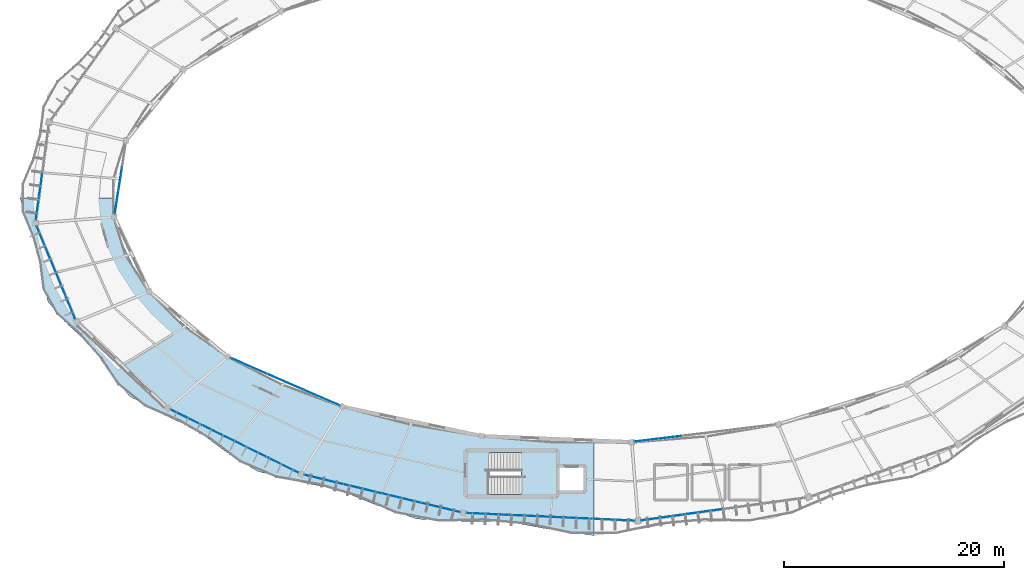
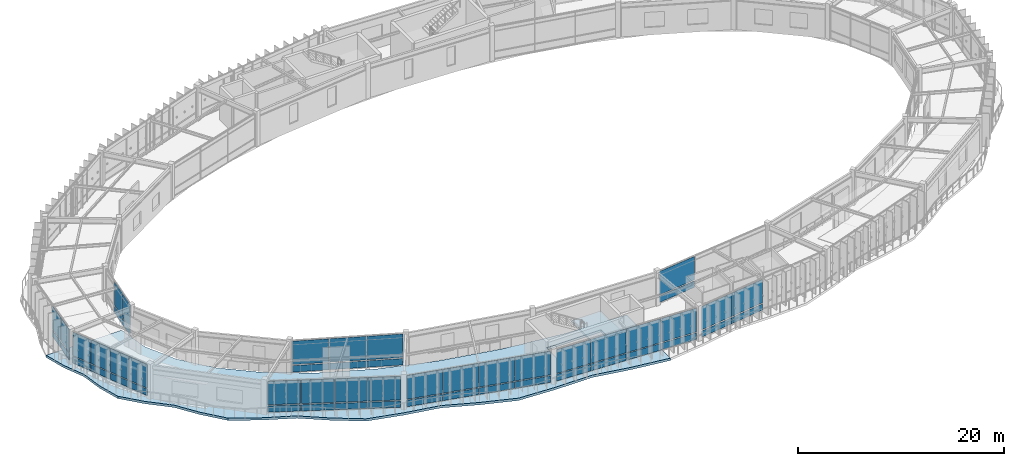
# One storey, part 63 of 79: 52 plates, 2 slabs, 10 elements without a shape of their own.
"""IFC4 building model written with IfcOpenShell, lengths in metres."""

from ifc_helpers import new_model, si_unit, direction, frame, origin, origin_2d, place, context, subcontext, project, spatial, polyline, rectangle, outline, extrude, material, layer, layer_set, type_object, element, aggregate, save


model = new_model("IFC4")

# Units and contexts
model_context = context("Model", 3, precision=1e-05, world=origin(), true_north=direction((0.0, 1.0)))
body_context = subcontext(model_context, "Body", "Model", "MODEL_VIEW")
ifc_project = project(units=[si_unit("LENGTHUNIT", "METRE"), si_unit("AREAUNIT", "SQUARE_METRE"), si_unit("VOLUMEUNIT", "CUBIC_METRE"), si_unit("PLANEANGLEUNIT", "RADIAN"), si_unit("MASSUNIT", "GRAM", prefix="KILO"), si_unit("THERMODYNAMICTEMPERATUREUNIT", "KELVIN"), si_unit("POWERUNIT", "WATT")], contexts=[model_context])

# Site, building, storey
site_placement = place(None, origin())
site = spatial("IfcSite", under=ifc_project, at=site_placement, CompositionType="ELEMENT")
building_placement = place(site_placement, origin())
building = spatial("IfcBuilding", under=site, at=building_placement, Name="Darbajah Civic Hall", CompositionType="ELEMENT")
storey_placement = place(building_placement, frame((0.0, 0.0, 22.199951171875)))
storey = spatial("IfcBuildingStorey", under=building, at=storey_placement, Name="L05", CompositionType="ELEMENT", Elevation=22.199951171875)

# Curtain wall, plates
ifc_material_1 = material(Name="Anodised Bronze Aluminium and Low-E Glazing", Category="aluminium")
curtain_wall_type_1 = type_object("IfcCurtainWallType", Name="Unitised Curtain Wall CW-84 15400x3900", PredefinedType="USERDEFINED", material=ifc_material_1)
curtain_wall_1_placement = place(storey_placement, origin())
curtain_wall_1 = element("IfcCurtainWall", 1, at=curtain_wall_1_placement, inside=storey, type_object=curtain_wall_type_1, Name="L05 unitised curtain wall CW-V1O-L05-14", ObjectType="UNITISED CURTAIN WALL", PredefinedType="USERDEFINED")
ifc_material_2 = material(Name="Low-E Solar Control Double Glazing", Category="glass")
ifc_layer_1 = layer(ifc_material_2, 0.02392578125, Name="Low-E Solar Control Double Glazing")
ifc_layer_set_1 = layer_set([ifc_layer_1], Name="Low-E Solar Control Double Glazing")
plate_type_1 = type_object("IfcPlateType", Name="Solar Double Glazing 24mm", PredefinedType="CURTAIN_PANEL", material=ifc_layer_set_1)
plate_1_placement = place(storey_placement, frame((79.390380859375, 61.01513671875, 0.10009765625), z_axis=(0.0, 0.0, 1.0), x_axis=(0.998962637241, -0.045537340693, 0.0)))
plate_1 = element("IfcPlate", 2, at=plate_1_placement, type_object=plate_type_1, Name="CW-V1O-L05-14 glazed panel 1.1", PredefinedType="CURTAIN_PANEL", context=body_context, shape_type="SweptSolid", body=[
    extrude(rectangle(XDim=3.77734375, YDim=0.02392578125, at=origin_2d()), origin(), (0.0, 0.0, 1.0), 0.800048828125),
])
plate_2_placement = place(storey_placement, frame((79.390380859375, 61.01513671875, 1.0), z_axis=(0.0, 0.0, 1.0), x_axis=(0.998962637241, -0.045537340693, 0.0)))
plate_2 = element("IfcPlate", 3, at=plate_2_placement, type_object=plate_type_1, Name="CW-V1O-L05-14 glazed panel 1.2", PredefinedType="CURTAIN_PANEL", context=body_context, shape_type="SweptSolid", body=[
    extrude(rectangle(XDim=3.77734375, YDim=0.02392578125, at=origin_2d()), origin(), (0.0, 0.0, 1.0), 2.820068359375),
])
plate_3_placement = place(storey_placement, frame((83.228515625, 60.84033203125, 0.10009765625), z_axis=(0.0, 0.0, 1.0), x_axis=(0.998962637241, -0.045537340693, 0.0)))
plate_3 = element("IfcPlate", 4, at=plate_3_placement, type_object=plate_type_1, Name="CW-V1O-L05-14 glazed panel 2.1", PredefinedType="CURTAIN_PANEL", context=body_context, shape_type="SweptSolid", body=[
    extrude(rectangle(XDim=3.77734375, YDim=0.02392578125, at=origin_2d()), origin(), (0.0, 0.0, 1.0), 0.800048828125),
])
plate_4_placement = place(storey_placement, frame((83.228515625, 60.84033203125, 1.0), z_axis=(0.0, 0.0, 1.0), x_axis=(0.998962637241, -0.045537340693, 0.0)))
plate_4 = element("IfcPlate", 5, at=plate_4_placement, type_object=plate_type_1, Name="CW-V1O-L05-14 glazed panel 2.2", PredefinedType="CURTAIN_PANEL", context=body_context, shape_type="SweptSolid", body=[
    extrude(rectangle(XDim=3.77734375, YDim=0.02392578125, at=origin_2d()), origin(), (0.0, 0.0, 1.0), 2.820068359375),
])
plate_5_placement = place(storey_placement, frame((87.06689453125, 60.66552734375, 0.10009765625), z_axis=(0.0, 0.0, 1.0), x_axis=(0.998962637241, -0.045537340693, 0.0)))
plate_5 = element("IfcPlate", 6, at=plate_5_placement, type_object=plate_type_1, Name="CW-V1O-L05-14 glazed panel 3.1", PredefinedType="CURTAIN_PANEL", context=body_context, shape_type="SweptSolid", body=[
    extrude(rectangle(XDim=3.77734375, YDim=0.02392578125, at=origin_2d()), origin(), (0.0, 0.0, 1.0), 0.800048828125),
])
plate_6_placement = place(storey_placement, frame((87.06689453125, 60.66552734375, 1.0), z_axis=(0.0, 0.0, 1.0), x_axis=(0.998962637241, -0.045537340693, 0.0)))
plate_6 = element("IfcPlate", 7, at=plate_6_placement, type_object=plate_type_1, Name="CW-V1O-L05-14 glazed panel 3.2", PredefinedType="CURTAIN_PANEL", context=body_context, shape_type="SweptSolid", body=[
    extrude(rectangle(XDim=3.77734375, YDim=0.02392578125, at=origin_2d()), origin(), (0.0, 0.0, 1.0), 2.820068359375),
])
plate_7_placement = place(storey_placement, frame((90.905517578125, 60.490966796875, 0.10009765625), z_axis=(0.0, 0.0, 1.0), x_axis=(0.998962637241, -0.045537340693, 0.0)))
plate_7 = element("IfcPlate", 8, at=plate_7_placement, type_object=plate_type_1, Name="CW-V1O-L05-14 glazed panel 4.1", PredefinedType="CURTAIN_PANEL", context=body_context, shape_type="SweptSolid", body=[
    extrude(rectangle(XDim=3.77734375, YDim=0.02392578125, at=origin_2d()), origin(), (0.0, 0.0, 1.0), 0.800048828125),
])
plate_8_placement = place(storey_placement, frame((90.905517578125, 60.490966796875, 1.0), z_axis=(0.0, 0.0, 1.0), x_axis=(0.998962637241, -0.045537340693, 0.0)))
plate_8 = element("IfcPlate", 9, at=plate_8_placement, type_object=plate_type_1, Name="CW-V1O-L05-14 glazed panel 4.2", PredefinedType="CURTAIN_PANEL", context=body_context, shape_type="SweptSolid", body=[
    extrude(rectangle(XDim=3.77734375, YDim=0.02392578125, at=origin_2d()), origin(), (0.0, 0.0, 1.0), 2.820068359375),
])
aggregate(curtain_wall_1, [plate_1, plate_2, plate_3, plate_4, plate_5, plate_6, plate_7, plate_8])

curtain_wall_type_2 = type_object("IfcCurtainWallType", Name="Unitised Curtain Wall CW-70 6500x3900", PredefinedType="USERDEFINED", material=ifc_material_1)
curtain_wall_2_placement = place(storey_placement, origin())
curtain_wall_2 = element("IfcCurtainWall", 10, at=curtain_wall_2_placement, inside=storey, type_object=curtain_wall_type_2, Name="L05 unitised curtain wall CW-V1I-L05-09", ObjectType="UNITISED CURTAIN WALL", PredefinedType="USERDEFINED")
ifc_layer_2 = layer(ifc_material_2, 0.028076171875, Name="Low-E Solar Control Double Glazing")
ifc_layer_set_2 = layer_set([ifc_layer_2], Name="Low-E Solar Control Double Glazing")
plate_type_2 = type_object("IfcPlateType", Name="Solar Double Glazing 28mm", PredefinedType="CURTAIN_PANEL", material=ifc_layer_set_2)
plate_9_placement = place(storey_placement, frame((45.97265625, 91.528076171875, 0.1201171875), z_axis=(0.0, 0.0, 1.0), x_axis=(-0.152813355565, -0.98825506746, 0.0)))
plate_9 = element("IfcPlate", 11, at=plate_9_placement, type_object=plate_type_2, Name="CW-V1I-L05-09 glazed panel 2.1", PredefinedType="CURTAIN_PANEL", context=body_context, shape_type="SweptSolid", body=[
    extrude(rectangle(XDim=2.10791015625, YDim=0.028076171875, at=origin_2d()), origin(), (0.0, 0.0, 1.0), 0.77001953125),
])
plate_10_placement = place(storey_placement, frame((45.97265625, 91.528076171875, 1.010009765625), z_axis=(0.0, 0.0, 1.0), x_axis=(-0.152813355565, -0.98825506746, 0.0)))
plate_10 = element("IfcPlate", 12, at=plate_10_placement, type_object=plate_type_2, Name="CW-V1I-L05-09 glazed panel 2.2", PredefinedType="CURTAIN_PANEL", context=body_context, shape_type="SweptSolid", body=[
    extrude(rectangle(XDim=2.10791015625, YDim=0.028076171875, at=origin_2d()), origin(), (0.0, 0.0, 1.0), 2.7900390625),
])
plate_11_placement = place(storey_placement, frame((45.639892578125, 89.375732421875, 0.1201171875), z_axis=(0.0, 0.0, 1.0), x_axis=(-0.152813355565, -0.98825506746, 0.0)))
plate_11 = element("IfcPlate", 13, at=plate_11_placement, type_object=plate_type_2, Name="CW-V1I-L05-09 glazed panel 3.1", PredefinedType="CURTAIN_PANEL", context=body_context, shape_type="SweptSolid", body=[
    extrude(rectangle(XDim=2.10791015625, YDim=0.028076171875, at=origin_2d()), origin(), (0.0, 0.0, 1.0), 0.77001953125),
])
plate_12_placement = place(storey_placement, frame((45.639892578125, 89.375732421875, 1.010009765625), z_axis=(0.0, 0.0, 1.0), x_axis=(-0.152813355565, -0.98825506746, 0.0)))
plate_12 = element("IfcPlate", 14, at=plate_12_placement, type_object=plate_type_2, Name="CW-V1I-L05-09 glazed panel 3.2", PredefinedType="CURTAIN_PANEL", context=body_context, shape_type="SweptSolid", body=[
    extrude(rectangle(XDim=2.10791015625, YDim=0.028076171875, at=origin_2d()), origin(), (0.0, 0.0, 1.0), 2.7900390625),
])
aggregate(curtain_wall_2, [plate_9, plate_10, plate_11, plate_12])

curtain_wall_type_3 = type_object("IfcCurtainWallType", Name="Unitised Curtain Wall CW-82 9200x3900", PredefinedType="USERDEFINED", material=ifc_material_1)
curtain_wall_3_placement = place(storey_placement, origin())
curtain_wall_3 = element("IfcCurtainWall", 15, at=curtain_wall_3_placement, inside=storey, type_object=curtain_wall_type_3, Name="L05 unitised curtain wall CW-V1O-L05-10", ObjectType="UNITISED CURTAIN WALL", PredefinedType="USERDEFINED")
plate_13_placement = place(storey_placement, frame((38.802490234375, 86.171875, 0.1201171875), z_axis=(0.0, 0.0, 1.0), x_axis=(0.383328328644, -0.923612143954, 0.0)))
plate_13 = element("IfcPlate", 16, at=plate_13_placement, type_object=plate_type_2, Name="CW-V1O-L05-10 glazed panel 1.1", PredefinedType="CURTAIN_PANEL", context=body_context, shape_type="SweptSolid", body=[
    extrude(rectangle(XDim=2.220703125, YDim=0.028076171875, at=origin_2d()), origin(), (0.0, 0.0, 1.0), 0.77001953125),
])
plate_14_placement = place(storey_placement, frame((38.802490234375, 86.171875, 1.010009765625), z_axis=(0.0, 0.0, 1.0), x_axis=(0.383328328644, -0.923612143954, 0.0)))
plate_14 = element("IfcPlate", 17, at=plate_14_placement, type_object=plate_type_2, Name="CW-V1O-L05-10 glazed panel 1.2", PredefinedType="CURTAIN_PANEL", context=body_context, shape_type="SweptSolid", body=[
    extrude(rectangle(XDim=2.220703125, YDim=0.028076171875, at=origin_2d()), origin(), (0.0, 0.0, 1.0), 2.7900390625),
])
plate_15_placement = place(storey_placement, frame((39.680419921875, 84.055908203125, 0.1201171875), z_axis=(0.0, 0.0, 1.0), x_axis=(0.383328328644, -0.923612143954, 0.0)))
plate_15 = element("IfcPlate", 18, at=plate_15_placement, type_object=plate_type_2, Name="CW-V1O-L05-10 glazed panel 2.1", PredefinedType="CURTAIN_PANEL", context=body_context, shape_type="SweptSolid", body=[
    extrude(rectangle(XDim=2.220703125, YDim=0.028076171875, at=origin_2d()), origin(), (0.0, 0.0, 1.0), 0.77001953125),
])
plate_16_placement = place(storey_placement, frame((39.680419921875, 84.055908203125, 1.010009765625), z_axis=(0.0, 0.0, 1.0), x_axis=(0.383328328644, -0.923612143954, 0.0)))
plate_16 = element("IfcPlate", 19, at=plate_16_placement, type_object=plate_type_2, Name="CW-V1O-L05-10 glazed panel 2.2", PredefinedType="CURTAIN_PANEL", context=body_context, shape_type="SweptSolid", body=[
    extrude(rectangle(XDim=2.220703125, YDim=0.028076171875, at=origin_2d()), origin(), (0.0, 0.0, 1.0), 2.7900390625),
])
plate_17_placement = place(storey_placement, frame((40.558837890625, 81.940185546875, 0.1201171875), z_axis=(0.0, 0.0, 1.0), x_axis=(0.383328328644, -0.923612143954, 0.0)))
plate_17 = element("IfcPlate", 20, at=plate_17_placement, type_object=plate_type_2, Name="CW-V1O-L05-10 glazed panel 3.1", PredefinedType="CURTAIN_PANEL", context=body_context, shape_type="SweptSolid", body=[
    extrude(rectangle(XDim=2.220703125, YDim=0.028076171875, at=origin_2d()), origin(), (0.0, 0.0, 1.0), 0.77001953125),
])
plate_18_placement = place(storey_placement, frame((40.558837890625, 81.940185546875, 1.010009765625), z_axis=(0.0, 0.0, 1.0), x_axis=(0.383328328644, -0.923612143954, 0.0)))
plate_18 = element("IfcPlate", 21, at=plate_18_placement, type_object=plate_type_2, Name="CW-V1O-L05-10 glazed panel 3.2", PredefinedType="CURTAIN_PANEL", context=body_context, shape_type="SweptSolid", body=[
    extrude(rectangle(XDim=2.220703125, YDim=0.028076171875, at=origin_2d()), origin(), (0.0, 0.0, 1.0), 2.7900390625),
])
plate_19_placement = place(storey_placement, frame((41.436767578125, 79.824462890625, 0.1201171875), z_axis=(0.0, 0.0, 1.0), x_axis=(0.383328328644, -0.923612143954, 0.0)))
plate_19 = element("IfcPlate", 22, at=plate_19_placement, type_object=plate_type_2, Name="CW-V1O-L05-10 glazed panel 4.1", PredefinedType="CURTAIN_PANEL", context=body_context, shape_type="SweptSolid", body=[
    extrude(rectangle(XDim=2.220703125, YDim=0.028076171875, at=origin_2d()), origin(), (0.0, 0.0, 1.0), 0.77001953125),
])
plate_20_placement = place(storey_placement, frame((41.436767578125, 79.824462890625, 1.010009765625), z_axis=(0.0, 0.0, 1.0), x_axis=(0.383328328644, -0.923612143954, 0.0)))
plate_20 = element("IfcPlate", 23, at=plate_20_placement, type_object=plate_type_2, Name="CW-V1O-L05-10 glazed panel 4.2", PredefinedType="CURTAIN_PANEL", context=body_context, shape_type="SweptSolid", body=[
    extrude(rectangle(XDim=2.220703125, YDim=0.028076171875, at=origin_2d()), origin(), (0.0, 0.0, 1.0), 2.7900390625),
])
aggregate(curtain_wall_3, [plate_13, plate_14, plate_15, plate_16, plate_17, plate_18, plate_19, plate_20])

curtain_wall_type_4 = type_object("IfcCurtainWallType", Name="Unitised Curtain Wall CW-63 10900x3900", PredefinedType="USERDEFINED", material=ifc_material_1)
curtain_wall_4_placement = place(storey_placement, origin())
curtain_wall_4 = element("IfcCurtainWall", 24, at=curtain_wall_4_placement, inside=storey, type_object=curtain_wall_type_4, Name="L05 unitised curtain wall CW-V1I-L05-12", ObjectType="UNITISED CURTAIN WALL", PredefinedType="USERDEFINED")
plate_21_placement = place(storey_placement, frame((57.68505859375, 74.4951171875, 0.1201171875), z_axis=(0.0, 0.0, 1.0), x_axis=(0.917060074385, -0.398749068925, 0.0)))
plate_21 = element("IfcPlate", 25, at=plate_21_placement, type_object=plate_type_2, Name="CW-V1I-L05-12 glazed panel 1.1", PredefinedType="CURTAIN_PANEL", context=body_context, shape_type="SweptSolid", body=[
    extrude(rectangle(XDim=3.549560546875, YDim=0.028076171875, at=origin_2d()), origin(), (0.0, 0.0, 1.0), 0.77001953125),
])
plate_22_placement = place(storey_placement, frame((57.68505859375, 74.4951171875, 1.010009765625), z_axis=(0.0, 0.0, 1.0), x_axis=(0.917060074385, -0.398749068925, 0.0)))
plate_22 = element("IfcPlate", 26, at=plate_22_placement, type_object=plate_type_2, Name="CW-V1I-L05-12 glazed panel 1.2", PredefinedType="CURTAIN_PANEL", context=body_context, shape_type="SweptSolid", body=[
    extrude(rectangle(XDim=3.549560546875, YDim=0.028076171875, at=origin_2d()), origin(), (0.0, 0.0, 1.0), 2.7900390625),
])
plate_23_placement = place(storey_placement, frame((61.00439453125, 73.0517578125, 0.1201171875), z_axis=(0.0, 0.0, 1.0), x_axis=(0.917060074385, -0.398749068925, 0.0)))
plate_23 = element("IfcPlate", 27, at=plate_23_placement, type_object=plate_type_2, Name="CW-V1I-L05-12 glazed panel 2.1", PredefinedType="CURTAIN_PANEL", context=body_context, shape_type="SweptSolid", body=[
    extrude(rectangle(XDim=3.549560546875, YDim=0.028076171875, at=origin_2d()), origin(), (0.0, 0.0, 1.0), 0.77001953125),
])
plate_24_placement = place(storey_placement, frame((61.00439453125, 73.0517578125, 1.010009765625), z_axis=(0.0, 0.0, 1.0), x_axis=(0.917060074385, -0.398749068925, 0.0)))
plate_24 = element("IfcPlate", 28, at=plate_24_placement, type_object=plate_type_2, Name="CW-V1I-L05-12 glazed panel 2.2", PredefinedType="CURTAIN_PANEL", context=body_context, shape_type="SweptSolid", body=[
    extrude(rectangle(XDim=3.549560546875, YDim=0.028076171875, at=origin_2d()), origin(), (0.0, 0.0, 1.0), 2.7900390625),
])
plate_25_placement = place(storey_placement, frame((64.32373046875, 71.6083984375, 0.1201171875), z_axis=(0.0, 0.0, 1.0), x_axis=(0.917060074385, -0.398749068925, 0.0)))
plate_25 = element("IfcPlate", 29, at=plate_25_placement, type_object=plate_type_2, Name="CW-V1I-L05-12 glazed panel 3.1", PredefinedType="CURTAIN_PANEL", context=body_context, shape_type="SweptSolid", body=[
    extrude(rectangle(XDim=3.549560546875, YDim=0.028076171875, at=origin_2d()), origin(), (0.0, 0.0, 1.0), 0.77001953125),
])
plate_26_placement = place(storey_placement, frame((64.32373046875, 71.6083984375, 1.010009765625), z_axis=(0.0, 0.0, 1.0), x_axis=(0.917060074385, -0.398749068925, 0.0)))
plate_26 = element("IfcPlate", 30, at=plate_26_placement, type_object=plate_type_2, Name="CW-V1I-L05-12 glazed panel 3.2", PredefinedType="CURTAIN_PANEL", context=body_context, shape_type="SweptSolid", body=[
    extrude(rectangle(XDim=3.549560546875, YDim=0.028076171875, at=origin_2d()), origin(), (0.0, 0.0, 1.0), 2.7900390625),
])
aggregate(curtain_wall_4, [plate_21, plate_22, plate_23, plate_24, plate_25, plate_26])

curtain_wall_type_5 = type_object("IfcCurtainWallType", Name="Unitised Curtain Wall CW-71 14600x3900", PredefinedType="USERDEFINED", material=ifc_material_1)
curtain_wall_5_placement = place(storey_placement, origin())
curtain_wall_5 = element("IfcCurtainWall", 31, at=curtain_wall_5_placement, inside=storey, type_object=curtain_wall_type_5, Name="L05 unitised curtain wall CW-V1O-L05-13", ObjectType="UNITISED CURTAIN WALL", PredefinedType="USERDEFINED")
plate_27_placement = place(storey_placement, frame((64.497314453125, 64.1572265625, 0.1201171875), z_axis=(0.0, 0.0, 1.0), x_axis=(0.972492018808, -0.232936200179, 0.0)))
plate_27 = element("IfcPlate", 32, at=plate_27_placement, type_object=plate_type_2, Name="CW-V1O-L05-13 glazed panel 1.1", PredefinedType="CURTAIN_PANEL", context=body_context, shape_type="SweptSolid", body=[
    extrude(rectangle(XDim=3.581298828125, YDim=0.028076171875, at=origin_2d()), origin(), (0.0, 0.0, 1.0), 0.77001953125),
])
plate_28_placement = place(storey_placement, frame((64.497314453125, 64.1572265625, 1.010009765625), z_axis=(0.0, 0.0, 1.0), x_axis=(0.972492018808, -0.232936200179, 0.0)))
plate_28 = element("IfcPlate", 33, at=plate_28_placement, type_object=plate_type_2, Name="CW-V1O-L05-13 glazed panel 1.2", PredefinedType="CURTAIN_PANEL", context=body_context, shape_type="SweptSolid", body=[
    extrude(rectangle(XDim=3.581298828125, YDim=0.028076171875, at=origin_2d()), origin(), (0.0, 0.0, 1.0), 2.7900390625),
])
plate_29_placement = place(storey_placement, frame((68.048095703125, 63.306396484375, 0.1201171875), z_axis=(0.0, 0.0, 1.0), x_axis=(0.972492018808, -0.232936200179, 0.0)))
plate_29 = element("IfcPlate", 34, at=plate_29_placement, type_object=plate_type_2, Name="CW-V1O-L05-13 glazed panel 2.1", PredefinedType="CURTAIN_PANEL", context=body_context, shape_type="SweptSolid", body=[
    extrude(rectangle(XDim=3.581298828125, YDim=0.028076171875, at=origin_2d()), origin(), (0.0, 0.0, 1.0), 0.77001953125),
])
plate_30_placement = place(storey_placement, frame((68.048095703125, 63.306396484375, 1.010009765625), z_axis=(0.0, 0.0, 1.0), x_axis=(0.972492018808, -0.232936200179, 0.0)))
plate_30 = element("IfcPlate", 35, at=plate_30_placement, type_object=plate_type_2, Name="CW-V1O-L05-13 glazed panel 2.2", PredefinedType="CURTAIN_PANEL", context=body_context, shape_type="SweptSolid", body=[
    extrude(rectangle(XDim=3.581298828125, YDim=0.028076171875, at=origin_2d()), origin(), (0.0, 0.0, 1.0), 2.7900390625),
])
plate_31_placement = place(storey_placement, frame((71.598876953125, 62.455810546875, 0.1201171875), z_axis=(0.0, 0.0, 1.0), x_axis=(0.972492018808, -0.232936200179, 0.0)))
plate_31 = element("IfcPlate", 36, at=plate_31_placement, type_object=plate_type_2, Name="CW-V1O-L05-13 glazed panel 3.1", PredefinedType="CURTAIN_PANEL", context=body_context, shape_type="SweptSolid", body=[
    extrude(rectangle(XDim=3.581298828125, YDim=0.028076171875, at=origin_2d()), origin(), (0.0, 0.0, 1.0), 0.77001953125),
])
plate_32_placement = place(storey_placement, frame((71.598876953125, 62.455810546875, 1.010009765625), z_axis=(0.0, 0.0, 1.0), x_axis=(0.972492018808, -0.232936200179, 0.0)))
plate_32 = element("IfcPlate", 37, at=plate_32_placement, type_object=plate_type_2, Name="CW-V1O-L05-13 glazed panel 3.2", PredefinedType="CURTAIN_PANEL", context=body_context, shape_type="SweptSolid", body=[
    extrude(rectangle(XDim=3.581298828125, YDim=0.028076171875, at=origin_2d()), origin(), (0.0, 0.0, 1.0), 2.7900390625),
])
plate_33_placement = place(storey_placement, frame((75.149658203125, 61.60498046875, 0.1201171875), z_axis=(0.0, 0.0, 1.0), x_axis=(0.972492018808, -0.232936200179, 0.0)))
plate_33 = element("IfcPlate", 38, at=plate_33_placement, type_object=plate_type_2, Name="CW-V1O-L05-13 glazed panel 4.1", PredefinedType="CURTAIN_PANEL", context=body_context, shape_type="SweptSolid", body=[
    extrude(rectangle(XDim=3.581298828125, YDim=0.028076171875, at=origin_2d()), origin(), (0.0, 0.0, 1.0), 0.77001953125),
])
plate_34_placement = place(storey_placement, frame((75.149658203125, 61.60498046875, 1.010009765625), z_axis=(0.0, 0.0, 1.0), x_axis=(0.972492018808, -0.232936200179, 0.0)))
plate_34 = element("IfcPlate", 39, at=plate_34_placement, type_object=plate_type_2, Name="CW-V1O-L05-13 glazed panel 4.2", PredefinedType="CURTAIN_PANEL", context=body_context, shape_type="SweptSolid", body=[
    extrude(rectangle(XDim=3.581298828125, YDim=0.028076171875, at=origin_2d()), origin(), (0.0, 0.0, 1.0), 2.7900390625),
])
aggregate(curtain_wall_5, [plate_27, plate_28, plate_29, plate_30, plate_31, plate_32, plate_33, plate_34])

curtain_wall_type_6 = type_object("IfcCurtainWallType", Name="Unitised Curtain Wall CW-73 12900x3900", PredefinedType="USERDEFINED", material=ifc_material_1)
curtain_wall_6_placement = place(storey_placement, origin())
curtain_wall_6 = element("IfcCurtainWall", 40, at=curtain_wall_6_placement, inside=storey, type_object=curtain_wall_type_6, Name="L05 unitised curtain wall CW-V1I-L05-15", ObjectType="UNITISED CURTAIN WALL", PredefinedType="USERDEFINED")
plate_35_placement = place(storey_placement, frame((94.924072265625, 67.860595703125, 0.1201171875), z_axis=(0.0, 0.0, 1.0), x_axis=(0.992609826221, 0.121349630774, 0.0)))
plate_35 = element("IfcPlate", 41, at=plate_35_placement, type_object=plate_type_2, Name="CW-V1I-L05-15 glazed panel 1.1", PredefinedType="CURTAIN_PANEL", context=body_context, shape_type="SweptSolid", body=[
    extrude(rectangle(XDim=4.23681640625, YDim=0.028076171875, at=origin_2d()), origin(), (0.0, 0.0, 1.0), 0.77001953125),
])
plate_36_placement = place(storey_placement, frame((94.924072265625, 67.860595703125, 1.010009765625), z_axis=(0.0, 0.0, 1.0), x_axis=(0.992609826221, 0.121349630774, 0.0)))
plate_36 = element("IfcPlate", 42, at=plate_36_placement, type_object=plate_type_2, Name="CW-V1I-L05-15 glazed panel 1.2", PredefinedType="CURTAIN_PANEL", context=body_context, shape_type="SweptSolid", body=[
    extrude(rectangle(XDim=4.23681640625, YDim=0.028076171875, at=origin_2d()), origin(), (0.0, 0.0, 1.0), 2.7900390625),
])
aggregate(curtain_wall_6, [plate_35, plate_36])

curtain_wall_type_7 = type_object("IfcCurtainWallType", Name="Unitised Curtain Wall CW-69 8700x3900", PredefinedType="USERDEFINED", material=ifc_material_1)
curtain_wall_7_placement = place(storey_placement, origin())
curtain_wall_7 = element("IfcCurtainWall", 43, at=curtain_wall_7_placement, inside=storey, type_object=curtain_wall_type_7, Name="L05 unitised curtain wall CW-V1O-L05-09", ObjectType="UNITISED CURTAIN WALL", PredefinedType="USERDEFINED")
ifc_layer_3 = layer(ifc_material_2, 0.031982421875, Name="Low-E Solar Control Double Glazing")
ifc_layer_set_3 = layer_set([ifc_layer_3], Name="Low-E Solar Control Double Glazing")
plate_type_3 = type_object("IfcPlateType", Name="Solar Double Glazing 32mm", PredefinedType="CURTAIN_PANEL", material=ifc_layer_set_3)
plate_37_placement = place(storey_placement, frame((38.736083984375, 91.00439453125, 0.14013671875), z_axis=(0.0, 0.0, 1.0), x_axis=(-0.134850930274, -0.990865897387, 0.0)))
plate_37 = element("IfcPlate", 44, at=plate_37_placement, type_object=plate_type_3, Name="CW-V1O-L05-09 glazed panel 3.1", PredefinedType="CURTAIN_PANEL", context=body_context, shape_type="SweptSolid", body=[
    extrude(rectangle(XDim=2.10791015625, YDim=0.031982421875, at=origin_2d()), origin(), (0.0, 0.0, 1.0), 0.739990234375),
])
plate_38_placement = place(storey_placement, frame((38.736083984375, 91.00439453125, 1.02001953125), z_axis=(0.0, 0.0, 1.0), x_axis=(-0.134850930274, -0.990865897387, 0.0)))
plate_38 = element("IfcPlate", 45, at=plate_38_placement, type_object=plate_type_3, Name="CW-V1O-L05-09 glazed panel 3.2", PredefinedType="CURTAIN_PANEL", context=body_context, shape_type="SweptSolid", body=[
    extrude(rectangle(XDim=2.10791015625, YDim=0.031982421875, at=origin_2d()), origin(), (0.0, 0.0, 1.0), 2.760009765625),
])
plate_39_placement = place(storey_placement, frame((38.441650390625, 88.841552734375, 0.14013671875), z_axis=(0.0, 0.0, 1.0), x_axis=(-0.134850930274, -0.990865897387, 0.0)))
plate_39 = element("IfcPlate", 46, at=plate_39_placement, type_object=plate_type_3, Name="CW-V1O-L05-09 glazed panel 4.1", PredefinedType="CURTAIN_PANEL", context=body_context, shape_type="SweptSolid", body=[
    extrude(rectangle(XDim=2.10791015625, YDim=0.031982421875, at=origin_2d()), origin(), (0.0, 0.0, 1.0), 0.739990234375),
])
plate_40_placement = place(storey_placement, frame((38.441650390625, 88.841552734375, 1.02001953125), z_axis=(0.0, 0.0, 1.0), x_axis=(-0.134850930274, -0.990865897387, 0.0)))
plate_40 = element("IfcPlate", 47, at=plate_40_placement, type_object=plate_type_3, Name="CW-V1O-L05-09 glazed panel 4.2", PredefinedType="CURTAIN_PANEL", context=body_context, shape_type="SweptSolid", body=[
    extrude(rectangle(XDim=2.10791015625, YDim=0.031982421875, at=origin_2d()), origin(), (0.0, 0.0, 1.0), 2.760009765625),
])
aggregate(curtain_wall_7, [plate_37, plate_38, plate_39, plate_40])

curtain_wall_type_8 = type_object("IfcCurtainWallType", Name="Unitised Curtain Wall CW-83 13000x3900", PredefinedType="USERDEFINED", material=ifc_material_1)
curtain_wall_8_placement = place(storey_placement, origin())
curtain_wall_8 = element("IfcCurtainWall", 48, at=curtain_wall_8_placement, inside=storey, type_object=curtain_wall_type_8, Name="L05 unitised curtain wall CW-V1O-L05-12", ObjectType="UNITISED CURTAIN WALL", PredefinedType="USERDEFINED")
plate_41_placement = place(storey_placement, frame((52.022216796875, 69.800048828125, 0.14013671875), z_axis=(0.0, 0.0, 1.0), x_axis=(0.89656374724, -0.442914717678, 0.0)))
plate_41 = element("IfcPlate", 49, at=plate_41_placement, type_object=plate_type_3, Name="CW-V1O-L05-12 glazed panel 1.1", PredefinedType="CURTAIN_PANEL", context=body_context, shape_type="SweptSolid", body=[
    extrude(rectangle(XDim=3.169921875, YDim=0.031982421875, at=origin_2d()), origin(), (0.0, 0.0, 1.0), 0.739990234375),
])
plate_42_placement = place(storey_placement, frame((52.022216796875, 69.800048828125, 1.02001953125), z_axis=(0.0, 0.0, 1.0), x_axis=(0.89656374724, -0.442914717678, 0.0)))
plate_42 = element("IfcPlate", 50, at=plate_42_placement, type_object=plate_type_3, Name="CW-V1O-L05-12 glazed panel 1.2", PredefinedType="CURTAIN_PANEL", context=body_context, shape_type="SweptSolid", body=[
    extrude(rectangle(XDim=3.169921875, YDim=0.031982421875, at=origin_2d()), origin(), (0.0, 0.0, 1.0), 2.760009765625),
])
plate_43_placement = place(storey_placement, frame((54.931396484375, 68.36279296875, 0.14013671875), z_axis=(0.0, 0.0, 1.0), x_axis=(0.89656374724, -0.442914717678, 0.0)))
plate_43 = element("IfcPlate", 51, at=plate_43_placement, type_object=plate_type_3, Name="CW-V1O-L05-12 glazed panel 2.1", PredefinedType="CURTAIN_PANEL", context=body_context, shape_type="SweptSolid", body=[
    extrude(rectangle(XDim=3.169921875, YDim=0.031982421875, at=origin_2d()), origin(), (0.0, 0.0, 1.0), 0.739990234375),
])
plate_44_placement = place(storey_placement, frame((54.931396484375, 68.36279296875, 1.02001953125), z_axis=(0.0, 0.0, 1.0), x_axis=(0.89656374724, -0.442914717678, 0.0)))
plate_44 = element("IfcPlate", 52, at=plate_44_placement, type_object=plate_type_3, Name="CW-V1O-L05-12 glazed panel 2.2", PredefinedType="CURTAIN_PANEL", context=body_context, shape_type="SweptSolid", body=[
    extrude(rectangle(XDim=3.169921875, YDim=0.031982421875, at=origin_2d()), origin(), (0.0, 0.0, 1.0), 2.760009765625),
])
plate_45_placement = place(storey_placement, frame((57.840576171875, 66.925537109375, 0.14013671875), z_axis=(0.0, 0.0, 1.0), x_axis=(0.89656374724, -0.442914717678, 0.0)))
plate_45 = element("IfcPlate", 53, at=plate_45_placement, type_object=plate_type_3, Name="CW-V1O-L05-12 glazed panel 3.1", PredefinedType="CURTAIN_PANEL", context=body_context, shape_type="SweptSolid", body=[
    extrude(rectangle(XDim=3.169921875, YDim=0.031982421875, at=origin_2d()), origin(), (0.0, 0.0, 1.0), 0.739990234375),
])
plate_46_placement = place(storey_placement, frame((57.840576171875, 66.925537109375, 1.02001953125), z_axis=(0.0, 0.0, 1.0), x_axis=(0.89656374724, -0.442914717678, 0.0)))
plate_46 = element("IfcPlate", 54, at=plate_46_placement, type_object=plate_type_3, Name="CW-V1O-L05-12 glazed panel 3.2", PredefinedType="CURTAIN_PANEL", context=body_context, shape_type="SweptSolid", body=[
    extrude(rectangle(XDim=3.169921875, YDim=0.031982421875, at=origin_2d()), origin(), (0.0, 0.0, 1.0), 2.760009765625),
])
plate_47_placement = place(storey_placement, frame((60.749755859375, 65.48828125, 0.14013671875), z_axis=(0.0, 0.0, 1.0), x_axis=(0.89656374724, -0.442914717678, 0.0)))
plate_47 = element("IfcPlate", 55, at=plate_47_placement, type_object=plate_type_3, Name="CW-V1O-L05-12 glazed panel 4.1", PredefinedType="CURTAIN_PANEL", context=body_context, shape_type="SweptSolid", body=[
    extrude(rectangle(XDim=3.169921875, YDim=0.031982421875, at=origin_2d()), origin(), (0.0, 0.0, 1.0), 0.739990234375),
])
plate_48_placement = place(storey_placement, frame((60.749755859375, 65.48828125, 1.02001953125), z_axis=(0.0, 0.0, 1.0), x_axis=(0.89656374724, -0.442914717678, 0.0)))
plate_48 = element("IfcPlate", 56, at=plate_48_placement, type_object=plate_type_3, Name="CW-V1O-L05-12 glazed panel 4.2", PredefinedType="CURTAIN_PANEL", context=body_context, shape_type="SweptSolid", body=[
    extrude(rectangle(XDim=3.169921875, YDim=0.031982421875, at=origin_2d()), origin(), (0.0, 0.0, 1.0), 2.760009765625),
])
aggregate(curtain_wall_8, [plate_41, plate_42, plate_43, plate_44, plate_45, plate_46, plate_47, plate_48])

curtain_wall_type_9 = type_object("IfcCurtainWallType", Name="Unitised Curtain Wall CW-72 15100x3900", PredefinedType="USERDEFINED", material=ifc_material_1)
curtain_wall_9_placement = place(storey_placement, origin())
curtain_wall_9 = element("IfcCurtainWall", 57, at=curtain_wall_9_placement, inside=storey, type_object=curtain_wall_type_9, Name="L05 unitised curtain wall CW-V1O-L05-15", ObjectType="UNITISED CURTAIN WALL", PredefinedType="USERDEFINED")
plate_49_placement = place(storey_placement, frame((95.24658203125, 60.68896484375, 0.14013671875), z_axis=(0.0, 0.0, 1.0), x_axis=(0.990485459553, 0.137617420457, 0.0)))
plate_49 = element("IfcPlate", 58, at=plate_49_placement, type_object=plate_type_3, Name="CW-V1O-L05-15 glazed panel 1.1", PredefinedType="CURTAIN_PANEL", context=body_context, shape_type="SweptSolid", body=[
    extrude(rectangle(XDim=3.70263671875, YDim=0.031982421875, at=origin_2d()), origin(), (0.0, 0.0, 1.0), 0.739990234375),
])
plate_50_placement = place(storey_placement, frame((95.24658203125, 60.68896484375, 1.02001953125), z_axis=(0.0, 0.0, 1.0), x_axis=(0.990485459553, 0.137617420457, 0.0)))
plate_50 = element("IfcPlate", 59, at=plate_50_placement, type_object=plate_type_3, Name="CW-V1O-L05-15 glazed panel 1.2", PredefinedType="CURTAIN_PANEL", context=body_context, shape_type="SweptSolid", body=[
    extrude(rectangle(XDim=3.70263671875, YDim=0.031982421875, at=origin_2d()), origin(), (0.0, 0.0, 1.0), 2.760009765625),
])
plate_51_placement = place(storey_placement, frame((98.98828125, 61.20849609375, 0.14013671875), z_axis=(0.0, 0.0, 1.0), x_axis=(0.990485459553, 0.137617420457, 0.0)))
plate_51 = element("IfcPlate", 60, at=plate_51_placement, type_object=plate_type_3, Name="CW-V1O-L05-15 glazed panel 2.1", PredefinedType="CURTAIN_PANEL", context=body_context, shape_type="SweptSolid", body=[
    extrude(rectangle(XDim=3.70263671875, YDim=0.031982421875, at=origin_2d()), origin(), (0.0, 0.0, 1.0), 0.739990234375),
])
plate_52_placement = place(storey_placement, frame((98.98828125, 61.20849609375, 1.02001953125), z_axis=(0.0, 0.0, 1.0), x_axis=(0.990485459553, 0.137617420457, 0.0)))
plate_52 = element("IfcPlate", 61, at=plate_52_placement, type_object=plate_type_3, Name="CW-V1O-L05-15 glazed panel 2.2", PredefinedType="CURTAIN_PANEL", context=body_context, shape_type="SweptSolid", body=[
    extrude(rectangle(XDim=3.70263671875, YDim=0.031982421875, at=origin_2d()), origin(), (0.0, 0.0, 1.0), 2.760009765625),
])
aggregate(curtain_wall_9, [plate_49, plate_50, plate_51, plate_52])

# Stair, slab
ifc_material_3 = material(Name="Concrete C45/55", Category="concrete")
stair_type = type_object("IfcStairType", Name="Half Turn Stair 1650x4200", PredefinedType="HALF_TURN_STAIR", material=ifc_material_3)
stair_placement = place(storey_placement, origin())
stair = element("IfcStair", 62, at=stair_placement, inside=storey, type_object=stair_type, Name="L05 enclosed exit stair ST03", PredefinedType="HALF_TURN_STAIR")
ifc_layer_4 = layer(ifc_material_3, 0.199951171875, Name="Concrete C45/55")
ifc_layer_set_4 = layer_set([ifc_layer_4], Name="Concrete C45/55")
slab_type_1 = type_object("IfcSlabType", Name="Stair Landing Slab 200mm", PredefinedType="LANDING", material=ifc_layer_set_4)
slab_1_placement = place(storey_placement, frame((0.0, 0.0, 1.900146484375)))
slab_1 = element("IfcSlab", 63, at=slab_1_placement, type_object=slab_type_1, Name="ST03 L05 half-landing", PredefinedType="LANDING", context=body_context, shape_type="SweptSolid", body=[
    extrude(outline(polyline([(82.43994140625, 62.60009765625), (85.800048828125, 62.60009765625), (85.800048828125, 66.800048828125), (82.43994140625, 66.800048828125), (82.43994140625, 62.60009765625)])), origin(), (0.0, 0.0, 1.0), 0.199951171875),
])
aggregate(stair, [slab_1])

# Slab
ifc_layer_5 = layer(ifc_material_3, 0.280029296875, Name="Concrete C45/55")
ifc_layer_set_5 = layer_set([ifc_layer_5], Name="Concrete C45/55")
slab_type_2 = type_object("IfcSlabType", Name="Structural Floor Slab 280mm", PredefinedType="FLOOR", material=ifc_layer_set_5)
slab_2_placement = place(storey_placement, frame((0.0, 0.0, -0.280029296875)))
element("IfcSlab", 64, at=slab_2_placement, inside=storey, type_object=slab_type_2, Name="L05 Oval Administration Ring SW floor slab", PredefinedType="FLOOR", context=body_context, shape_type="SweptSolid", body=[
    extrude(outline(polyline([(36.85205078125, 89.800048828125), (37.4794921875, 87.42431640625), (38.419677734375, 85.136474609375), (38.750732421875, 82.731201171875), (39.4091796875, 80.29833984375), (41.261474609375, 78.21240234375), (43.380615234375, 76.265625), (44.9501953125, 73.978759765625), (46.83056640625, 71.726806640625), (49.726318359375, 70.134765625), (52.81689453125, 68.7197265625), (55.4716796875, 66.77490234375), (58.389404296875, 64.92431640625), (62.044921875, 63.982177734375), (65.8046875, 63.2373046875), (69.28466796875, 61.824951171875), (72.95458984375, 60.556884765625), (77.01220703125, 60.356689453125), (81.072998046875, 60.35498046875), (85.037353515625, 59.61328125), (89.10009765625, 59.052001953125), (89.10009765625, 67.52001953125), (82.251220703125, 67.794189453125), (75.5712890625, 68.610595703125), (69.224365234375, 69.948486328125), (63.36669921875, 71.775146484375), (58.142822265625, 74.045654296875), (53.68115234375, 76.7041015625), (50.091796875, 79.68505859375), (47.462646484375, 82.9150390625), (45.85888671875, 86.314697265625), (45.320068359375, 89.800048828125), (36.85205078125, 89.800048828125)]), holes=[polyline([(79.580078125, 66.580078125), (85.659912109375, 66.580078125), (85.659912109375, 62.820068359375), (79.580078125, 62.820068359375), (79.580078125, 66.580078125)]), polyline([(85.949951171875, 65.25), (88.14990234375, 65.25), (88.14990234375, 63.14990234375), (85.949951171875, 63.14990234375), (85.949951171875, 65.25)])]), origin(), (0.0, 0.0, 1.0), 0.280029296875),
])

save(model, "model.ifc")
